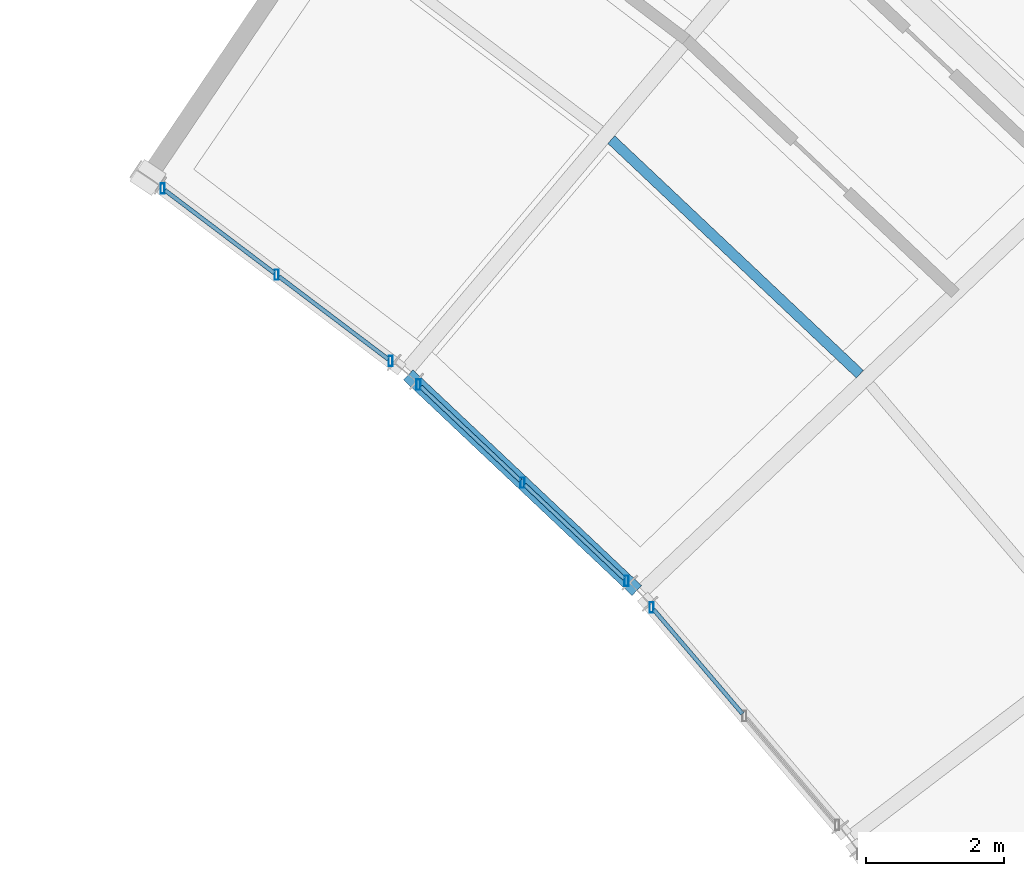
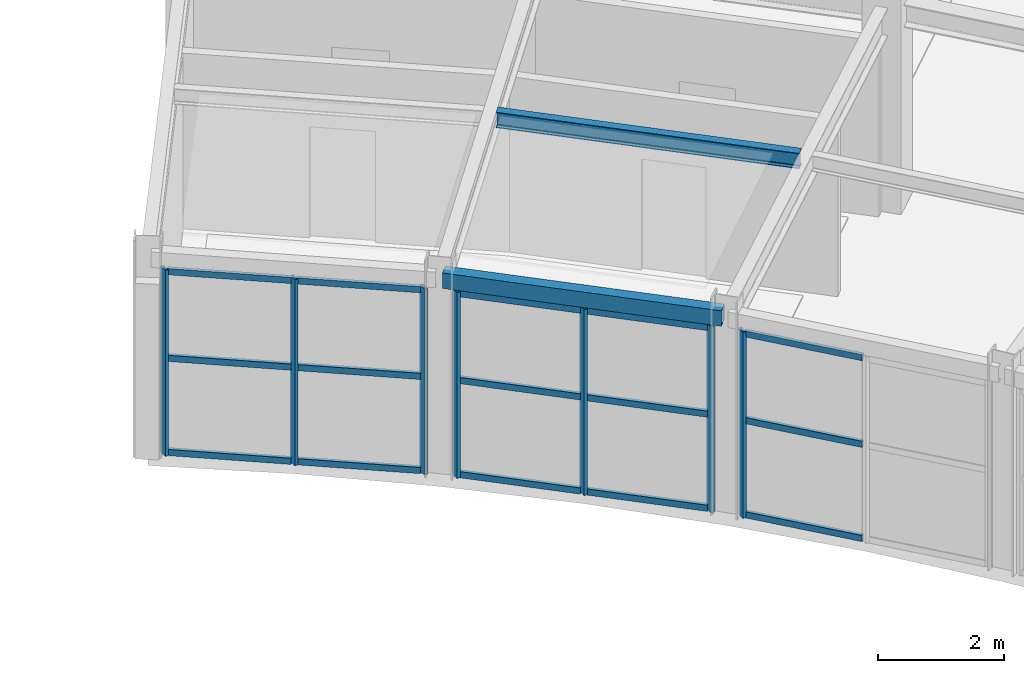
# One storey, part 38 of 63: 22 members, 2 beams, 3 elements without a shape of their own.
"""IFC4 building model written with IfcOpenShell, lengths in metres."""

from ifc_helpers import new_model, si_unit, direction, frame, origin, origin_2d, place, context, subcontext, project, spatial, hollow_rectangle, i_section, extrude, material, material_profile, profile_set, type_object, element, aggregate, save


model = new_model("IFC4")

# Units and contexts
model_context = context("Model", 3, precision=1e-05, world=origin(), true_north=direction((0.0, 1.0)))
body_context = subcontext(model_context, "Body", "Model", "MODEL_VIEW")
ifc_project = project(units=[si_unit("LENGTHUNIT", "METRE"), si_unit("AREAUNIT", "SQUARE_METRE"), si_unit("VOLUMEUNIT", "CUBIC_METRE"), si_unit("PLANEANGLEUNIT", "RADIAN"), si_unit("MASSUNIT", "GRAM", prefix="KILO")], contexts=[model_context])

# Site, building, storey
site_placement = place(None, origin())
site = spatial("IfcSite", under=ifc_project, at=site_placement, CompositionType="ELEMENT")
building_placement = place(site_placement, origin())
building = spatial("IfcBuilding", under=site, at=building_placement, Name="Tarnveldt Headland Concert Hall", CompositionType="ELEMENT")
storey_placement = place(building_placement, frame((0.0, 0.0, 14.39990234375)))
storey = spatial("IfcBuildingStorey", under=building, at=storey_placement, Name="L03", CompositionType="ELEMENT", Elevation=14.39990234375)

# Curtain wall, member
ifc_material_1 = material(Name="Marine-anodised aluminium EN AW-6063-T6", Category="aluminium")
curtain_wall_type = type_object("IfcCurtainWallType", Name="CW-C4", PredefinedType="NOTDEFINED", material=ifc_material_1)
curtain_wall_1_placement = place(storey_placement, origin())
curtain_wall_1 = element("IfcCurtainWall", 1, at=curtain_wall_1_placement, inside=storey, type_object=curtain_wall_type, Name="Curtain wall CW-L03-144", PredefinedType="NOTDEFINED")
ifc_material_profile_1 = material_profile(ifc_material_1, hollow_rectangle(XDim=0.06005859375, YDim=0.14990234375, WallThickness=0.00390625, at=origin_2d()), Name="ALU MULLION 60x150x4", Category="aluminium")
ifc_profile_set_1 = profile_set([ifc_material_profile_1], Name="Marine-anodised aluminium EN AW-6063-T6")
member_type_1 = type_object("IfcMemberType", Name="ML-150", PredefinedType="MULLION", material=ifc_profile_set_1)
member_1_placement = place(storey_placement, frame((148.834228515625, 89.427734375, 0.0), z_axis=(0.0, 0.0, 1.0), x_axis=(1.0, 0.0, 0.0)))
member_1 = element("IfcMember", 2, at=member_1_placement, type_object=member_type_1, Name="Mullion CW-L03-144-3", PredefinedType="MULLION", context=body_context, shape_type="SweptSolid", body=[
    extrude(hollow_rectangle(XDim=0.06005859375, YDim=0.14990234375, WallThickness=0.00390625, at=origin_2d()), origin(), (0.0, 0.0, 1.0), 3.60009765625),
])

# Curtain wall, members
curtain_wall_2_placement = place(storey_placement, origin())
curtain_wall_2 = element("IfcCurtainWall", 3, at=curtain_wall_2_placement, inside=storey, type_object=curtain_wall_type, Name="Curtain wall CW-L03-145", PredefinedType="NOTDEFINED")
member_2_placement = place(storey_placement, frame((148.469482421875, 89.811279296875, 0.0), z_axis=(0.0, 0.0, 1.0), x_axis=(1.0, 0.0, 0.0)))
member_2 = element("IfcMember", 4, at=member_2_placement, type_object=member_type_1, Name="Mullion CW-L03-145-1", PredefinedType="MULLION", context=body_context, shape_type="SweptSolid", body=[
    extrude(hollow_rectangle(XDim=0.06005859375, YDim=0.14990234375, WallThickness=0.00390625, at=origin_2d()), origin(), (0.0, 0.0, 1.0), 3.60009765625),
])
member_3_placement = place(storey_placement, frame((146.96484375, 91.23095703125, 0.0), z_axis=(0.0, 0.0, 1.0), x_axis=(1.0, 0.0, 0.0)))
member_3 = element("IfcMember", 5, at=member_3_placement, type_object=member_type_1, Name="Mullion CW-L03-145-2", PredefinedType="MULLION", context=body_context, shape_type="SweptSolid", body=[
    extrude(hollow_rectangle(XDim=0.06005859375, YDim=0.14990234375, WallThickness=0.00390625, at=origin_2d()), origin(), (0.0, 0.0, 1.0), 3.60009765625),
])
member_4_placement = place(storey_placement, frame((145.460205078125, 92.650634765625, 0.0), z_axis=(0.0, 0.0, 1.0), x_axis=(1.0, 0.0, 0.0)))
member_4 = element("IfcMember", 6, at=member_4_placement, type_object=member_type_1, Name="Mullion CW-L03-145-3", PredefinedType="MULLION", context=body_context, shape_type="SweptSolid", body=[
    extrude(hollow_rectangle(XDim=0.06005859375, YDim=0.14990234375, WallThickness=0.00390625, at=origin_2d()), origin(), (0.0, 0.0, 1.0), 3.60009765625),
])

curtain_wall_3_placement = place(storey_placement, origin())
curtain_wall_3 = element("IfcCurtainWall", 7, at=curtain_wall_3_placement, inside=storey, type_object=curtain_wall_type, Name="Curtain wall CW-L03-146", PredefinedType="NOTDEFINED")
member_5_placement = place(storey_placement, frame((145.05615234375, 92.992431640625, 0.0), z_axis=(0.0, 0.0, 1.0), x_axis=(1.0, 0.0, 0.0)))
member_5 = element("IfcMember", 8, at=member_5_placement, type_object=member_type_1, Name="Mullion CW-L03-146-1", PredefinedType="MULLION", context=body_context, shape_type="SweptSolid", body=[
    extrude(hollow_rectangle(XDim=0.06005859375, YDim=0.14990234375, WallThickness=0.00390625, at=origin_2d()), origin(), (0.0, 0.0, 1.0), 3.60009765625),
])
member_6_placement = place(storey_placement, frame((143.40625, 94.240478515625, 0.0), z_axis=(0.0, 0.0, 1.0), x_axis=(1.0, 0.0, 0.0)))
member_6 = element("IfcMember", 9, at=member_6_placement, type_object=member_type_1, Name="Mullion CW-L03-146-2", PredefinedType="MULLION", context=body_context, shape_type="SweptSolid", body=[
    extrude(hollow_rectangle(XDim=0.06005859375, YDim=0.14990234375, WallThickness=0.00390625, at=origin_2d()), origin(), (0.0, 0.0, 1.0), 3.60009765625),
])
member_7_placement = place(storey_placement, frame((141.756591796875, 95.48876953125, 0.0), z_axis=(0.0, 0.0, 1.0), x_axis=(1.0, 0.0, 0.0)))
member_7 = element("IfcMember", 10, at=member_7_placement, type_object=member_type_1, Name="Mullion CW-L03-146-3", PredefinedType="MULLION", context=body_context, shape_type="SweptSolid", body=[
    extrude(hollow_rectangle(XDim=0.06005859375, YDim=0.14990234375, WallThickness=0.00390625, at=origin_2d()), origin(), (0.0, 0.0, 1.0), 3.60009765625),
])

# Beams
ifc_material_2 = material(Name="Steel S355", Category="steel")
ifc_material_profile_2 = material_profile(ifc_material_2, i_section(OverallWidth=0.14990234375, OverallDepth=0.300048828125, WebThickness=0.007080078125, FlangeThickness=0.0107421875, FilletRadius=0.014892578125, at=origin_2d()), Name="IPE300", Category="steel")
ifc_profile_set_2 = profile_set([ifc_material_profile_2], Name="Steel S355")
beam_type_1 = type_object("IfcBeamType", Name="SB-IPE300", PredefinedType="JOIST", material=ifc_profile_set_2)
beam_1_placement = place(storey_placement, frame((151.84716796875, 92.80224609375, 3.81005859375), z_axis=(-0.727367617493, 0.686248022965, 0.0), x_axis=(-0.686248022965, -0.727367617493, 0.0)))
element("IfcBeam", 11, at=beam_1_placement, inside=storey, type_object=beam_type_1, Name="Framing beam L03-1320", PredefinedType="JOIST", context=body_context, shape_type="SweptSolid", body=[
    extrude(i_section(OverallWidth=0.14990234375, OverallDepth=0.300048828125, WebThickness=0.007080078125, FlangeThickness=0.0107421875, FilletRadius=0.014892578125, at=origin_2d()), origin(), (0.0, 0.0, 1.0), 4.94580078125),
])
ifc_material_profile_3 = material_profile(ifc_material_2, hollow_rectangle(XDim=0.199951171875, YDim=0.300048828125, WallThickness=0.012451171875, at=origin_2d()), Name="RHS 300x200x12.5", Category="steel")
ifc_profile_set_3 = profile_set([ifc_material_profile_3], Name="Steel S355")
beam_type_2 = type_object("IfcBeamType", Name="SB-RHS300", PredefinedType="SPANDREL", material=ifc_profile_set_3)
beam_2_placement = place(storey_placement, frame((148.618896484375, 89.670654296875, 3.81005859375), z_axis=(-0.72739567497, 0.686218283081, 0.0), x_axis=(-0.686218283081, -0.72739567497, 0.0)))
element("IfcBeam", 12, at=beam_2_placement, inside=storey, type_object=beam_type_2, Name="Framing beam L03-1317", PredefinedType="SPANDREL", context=body_context, shape_type="SweptSolid", body=[
    extrude(hollow_rectangle(XDim=0.199951171875, YDim=0.300048828125, WallThickness=0.012451171875, at=origin_2d()), origin(), (0.0, 0.0, 1.0), 4.547607421875),
])

# Member
ifc_material_profile_4 = material_profile(ifc_material_1, hollow_rectangle(XDim=0.06005859375, YDim=0.1201171875, WallThickness=0.00390625, at=origin_2d()), Name="ALU TRANSOM 60x120x4", Category="aluminium")
ifc_profile_set_4 = profile_set([ifc_material_profile_4], Name="Marine-anodised aluminium EN AW-6063-T6")
member_type_2 = type_object("IfcMemberType", Name="TR-110", PredefinedType="MEMBER", material=ifc_profile_set_4)
member_8_placement = place(storey_placement, frame((150.149169921875, 87.885498046875, 0.050048828125), z_axis=(-0.648783227656, 0.760973273849, 0.0), x_axis=(-0.760973273849, -0.648783227656, 0.0)))
member_8 = element("IfcMember", 13, at=member_8_placement, type_object=member_type_2, Name="Transom CW-L03-144-2-1", PredefinedType="MEMBER", context=body_context, shape_type="SweptSolid", body=[
    extrude(hollow_rectangle(XDim=0.06005859375, YDim=0.1201171875, WallThickness=0.00390625, at=origin_2d()), origin(), (0.0, 0.0, 1.0), 1.984619140625),
])

member_9_placement = place(storey_placement, frame((150.149169921875, 87.885498046875, 1.8720703125), z_axis=(-0.648783227656, 0.760973273849, 0.0), x_axis=(-0.760973273849, -0.648783227656, 0.0)))
member_9 = element("IfcMember", 14, at=member_9_placement, type_object=member_type_2, Name="Transom CW-L03-144-2-2", PredefinedType="MEMBER", context=body_context, shape_type="SweptSolid", body=[
    extrude(hollow_rectangle(XDim=0.06005859375, YDim=0.1201171875, WallThickness=0.00390625, at=origin_2d()), origin(), (0.0, 0.0, 1.0), 1.984619140625),
])

member_10_placement = place(storey_placement, frame((150.149169921875, 87.885498046875, 3.550048828125), z_axis=(-0.648783227656, 0.760973273849, 0.0), x_axis=(-0.760973273849, -0.648783227656, 0.0)))
member_10 = element("IfcMember", 15, at=member_10_placement, type_object=member_type_2, Name="Transom CW-L03-144-2-3", PredefinedType="MEMBER", context=body_context, shape_type="SweptSolid", body=[
    extrude(hollow_rectangle(XDim=0.06005859375, YDim=0.1201171875, WallThickness=0.00390625, at=origin_2d()), origin(), (0.0, 0.0, 1.0), 1.984619140625),
])

aggregate(curtain_wall_1, [member_1, member_8, member_9, member_10])

member_11_placement = place(storey_placement, frame((148.439208984375, 89.840087890625, 0.050048828125), z_axis=(-0.727408711392, 0.686204464129, 0.0), x_axis=(-0.686204464129, -0.727408711392, 0.0)))
member_11 = element("IfcMember", 16, at=member_11_placement, type_object=member_type_2, Name="Transom CW-L03-145-1-1", PredefinedType="MEMBER", context=body_context, shape_type="SweptSolid", body=[
    extrude(hollow_rectangle(XDim=0.06005859375, YDim=0.1201171875, WallThickness=0.00390625, at=origin_2d()), origin(), (0.0, 0.0, 1.0), 1.98486328125),
])

member_12_placement = place(storey_placement, frame((148.439208984375, 89.840087890625, 1.8720703125), z_axis=(-0.727408711392, 0.686204464129, 0.0), x_axis=(-0.686204464129, -0.727408711392, 0.0)))
member_12 = element("IfcMember", 17, at=member_12_placement, type_object=member_type_2, Name="Transom CW-L03-145-1-2", PredefinedType="MEMBER", context=body_context, shape_type="SweptSolid", body=[
    extrude(hollow_rectangle(XDim=0.06005859375, YDim=0.1201171875, WallThickness=0.00390625, at=origin_2d()), origin(), (0.0, 0.0, 1.0), 1.98486328125),
])

member_13_placement = place(storey_placement, frame((148.439208984375, 89.840087890625, 3.550048828125), z_axis=(-0.727408711392, 0.686204464129, 0.0), x_axis=(-0.686204464129, -0.727408711392, 0.0)))
member_13 = element("IfcMember", 18, at=member_13_placement, type_object=member_type_2, Name="Transom CW-L03-145-1-3", PredefinedType="MEMBER", context=body_context, shape_type="SweptSolid", body=[
    extrude(hollow_rectangle(XDim=0.06005859375, YDim=0.1201171875, WallThickness=0.00390625, at=origin_2d()), origin(), (0.0, 0.0, 1.0), 1.98486328125),
])

member_14_placement = place(storey_placement, frame((146.934326171875, 91.259765625, 0.050048828125), z_axis=(-0.727350786859, 0.686265861642, 0.0), x_axis=(-0.686265861642, -0.727350786859, 0.0)))
member_14 = element("IfcMember", 19, at=member_14_placement, type_object=member_type_2, Name="Transom CW-L03-145-2-1", PredefinedType="MEMBER", context=body_context, shape_type="SweptSolid", body=[
    extrude(hollow_rectangle(XDim=0.06005859375, YDim=0.1201171875, WallThickness=0.00390625, at=origin_2d()), origin(), (0.0, 0.0, 1.0), 1.98486328125),
])

member_15_placement = place(storey_placement, frame((146.934326171875, 91.259765625, 1.8720703125), z_axis=(-0.727350786859, 0.686265861642, 0.0), x_axis=(-0.686265861642, -0.727350786859, 0.0)))
member_15 = element("IfcMember", 20, at=member_15_placement, type_object=member_type_2, Name="Transom CW-L03-145-2-2", PredefinedType="MEMBER", context=body_context, shape_type="SweptSolid", body=[
    extrude(hollow_rectangle(XDim=0.06005859375, YDim=0.1201171875, WallThickness=0.00390625, at=origin_2d()), origin(), (0.0, 0.0, 1.0), 1.98486328125),
])

member_16_placement = place(storey_placement, frame((146.934326171875, 91.259765625, 3.550048828125), z_axis=(-0.727350786859, 0.686265861642, 0.0), x_axis=(-0.686265861642, -0.727350786859, 0.0)))
member_16 = element("IfcMember", 21, at=member_16_placement, type_object=member_type_2, Name="Transom CW-L03-145-2-3", PredefinedType="MEMBER", context=body_context, shape_type="SweptSolid", body=[
    extrude(hollow_rectangle(XDim=0.06005859375, YDim=0.1201171875, WallThickness=0.00390625, at=origin_2d()), origin(), (0.0, 0.0, 1.0), 1.98486328125),
])

aggregate(curtain_wall_2, [member_2, member_3, member_4, member_11, member_12, member_13, member_14, member_15, member_16])

member_17_placement = place(storey_placement, frame((145.022705078125, 93.017578125, 0.050048828125), z_axis=(-0.797513545651, 0.6033010397, 0.0), x_axis=(-0.6033010397, -0.797513545651, 0.0)))
member_17 = element("IfcMember", 22, at=member_17_placement, type_object=member_type_2, Name="Transom CW-L03-146-1-1", PredefinedType="MEMBER", context=body_context, shape_type="SweptSolid", body=[
    extrude(hollow_rectangle(XDim=0.06005859375, YDim=0.1201171875, WallThickness=0.00390625, at=origin_2d()), origin(), (0.0, 0.0, 1.0), 1.98486328125),
])

member_18_placement = place(storey_placement, frame((145.022705078125, 93.017578125, 1.8720703125), z_axis=(-0.797513545651, 0.6033010397, 0.0), x_axis=(-0.6033010397, -0.797513545651, 0.0)))
member_18 = element("IfcMember", 23, at=member_18_placement, type_object=member_type_2, Name="Transom CW-L03-146-1-2", PredefinedType="MEMBER", context=body_context, shape_type="SweptSolid", body=[
    extrude(hollow_rectangle(XDim=0.06005859375, YDim=0.1201171875, WallThickness=0.00390625, at=origin_2d()), origin(), (0.0, 0.0, 1.0), 1.98486328125),
])

member_19_placement = place(storey_placement, frame((145.022705078125, 93.017578125, 3.550048828125), z_axis=(-0.797513545651, 0.6033010397, 0.0), x_axis=(-0.6033010397, -0.797513545651, 0.0)))
member_19 = element("IfcMember", 24, at=member_19_placement, type_object=member_type_2, Name="Transom CW-L03-146-1-3", PredefinedType="MEMBER", context=body_context, shape_type="SweptSolid", body=[
    extrude(hollow_rectangle(XDim=0.06005859375, YDim=0.1201171875, WallThickness=0.00390625, at=origin_2d()), origin(), (0.0, 0.0, 1.0), 1.98486328125),
])

member_20_placement = place(storey_placement, frame((143.372802734375, 94.265869140625, 0.050048828125), z_axis=(-0.797468771525, 0.603360222787, 0.0), x_axis=(-0.603360222787, -0.797468771525, 0.0)))
member_20 = element("IfcMember", 25, at=member_20_placement, type_object=member_type_2, Name="Transom CW-L03-146-2-1", PredefinedType="MEMBER", context=body_context, shape_type="SweptSolid", body=[
    extrude(hollow_rectangle(XDim=0.06005859375, YDim=0.1201171875, WallThickness=0.00390625, at=origin_2d()), origin(), (0.0, 0.0, 1.0), 1.984619140625),
])

member_21_placement = place(storey_placement, frame((143.372802734375, 94.265869140625, 1.8720703125), z_axis=(-0.797468771525, 0.603360222787, 0.0), x_axis=(-0.603360222787, -0.797468771525, 0.0)))
member_21 = element("IfcMember", 26, at=member_21_placement, type_object=member_type_2, Name="Transom CW-L03-146-2-2", PredefinedType="MEMBER", context=body_context, shape_type="SweptSolid", body=[
    extrude(hollow_rectangle(XDim=0.06005859375, YDim=0.1201171875, WallThickness=0.00390625, at=origin_2d()), origin(), (0.0, 0.0, 1.0), 1.984619140625),
])

member_22_placement = place(storey_placement, frame((143.372802734375, 94.265869140625, 3.550048828125), z_axis=(-0.797468771525, 0.603360222787, 0.0), x_axis=(-0.603360222787, -0.797468771525, 0.0)))
member_22 = element("IfcMember", 27, at=member_22_placement, type_object=member_type_2, Name="Transom CW-L03-146-2-3", PredefinedType="MEMBER", context=body_context, shape_type="SweptSolid", body=[
    extrude(hollow_rectangle(XDim=0.06005859375, YDim=0.1201171875, WallThickness=0.00390625, at=origin_2d()), origin(), (0.0, 0.0, 1.0), 1.984619140625),
])

aggregate(curtain_wall_3, [member_5, member_6, member_7, member_17, member_18, member_19, member_20, member_21, member_22])

save(model, "model.ifc")
